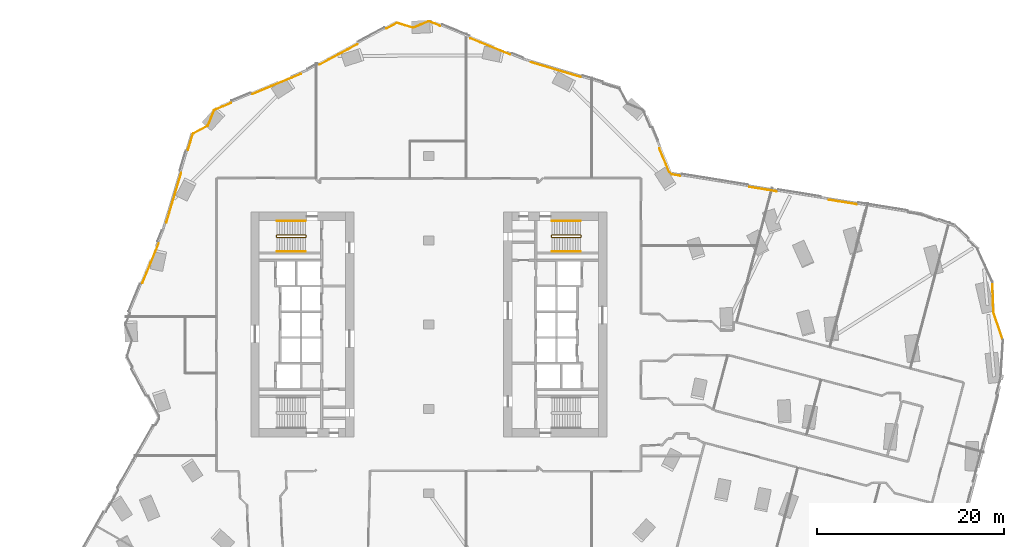
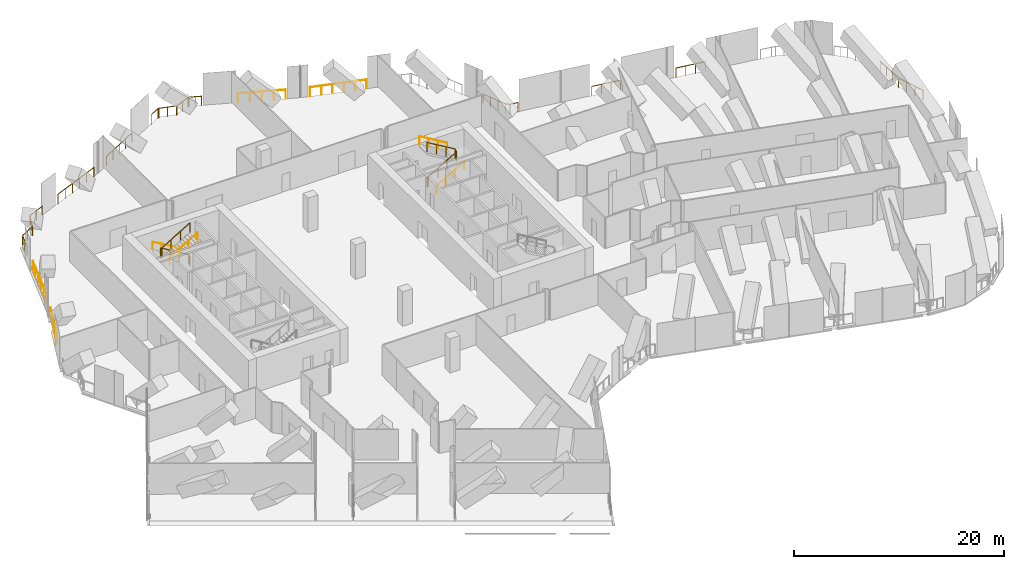
# One storey, part 36 of 37: 18 railings.
"""IFC4 building model written with IfcOpenShell, lengths in metres."""

from ifc_helpers import new_model, si_unit, direction, frame, origin, origin_2d, place, context, subcontext, project, spatial, circle, extrude, material, type_object, element, save


model = new_model("IFC4")

# Units and contexts
model_context = context("Model", 3, precision=1e-05, world=origin(), true_north=direction((0.0, 1.0)))
body_context = subcontext(model_context, "Body", "Model", "MODEL_VIEW")
ifc_project = project(units=[si_unit("LENGTHUNIT", "METRE"), si_unit("AREAUNIT", "SQUARE_METRE"), si_unit("VOLUMEUNIT", "CUBIC_METRE"), si_unit("PLANEANGLEUNIT", "RADIAN"), si_unit("MASSUNIT", "GRAM", prefix="KILO")], contexts=[model_context])

# Site, building, storey
site_placement = place(None, origin())
site = spatial("IfcSite", under=ifc_project, at=site_placement, CompositionType="ELEMENT")
building_placement = place(site_placement, origin())
building = spatial("IfcBuilding", under=site, at=building_placement, Name="Orlundy Tower", CompositionType="ELEMENT")
storey_placement = place(building_placement, frame((0.0, 0.0, 119.699951171875)))
storey = spatial("IfcBuildingStorey", under=building, at=storey_placement, Name="L30", CompositionType="ELEMENT", Elevation=119.699951171875)

# Railings
ifc_material_1 = material(Name="Steel balustrade", Category="steel")
railing_type_1 = type_object("IfcRailingType", Name="Stair Guard 1100", PredefinedType="GUARDRAIL", material=ifc_material_1)
railing_1_placement = place(storey_placement, frame((-13.090087890625, 9.5, 0.0)))
element("IfcRailing", 1, at=railing_1_placement, inside=storey, type_object=railing_type_1, Name="L30 ST-W1 stair guard 1", PredefinedType="GUARDRAIL", context=body_context, shape_type="SweptSolid", body=[
    extrude(circle(Radius=0.02392578125, at=origin_2d()), frame((0.0, 0.0, 1.076171875), z_axis=(0.0, -1.0, 0.0), x_axis=(1.0, 0.0, 0.0)), (0.0, 0.0, 1.0), 0.14990234375),
    extrude(circle(Radius=0.02392578125, at=origin_2d()), frame((0.0, -0.14990234375, 1.076171875), z_axis=(-0.1878875253, 0.754313153044, 0.629054802844), x_axis=(-0.970351222016, -0.241699205484, 0.0)), (0.0, 0.0, 1.0), 0.26513671875),
    extrude(circle(Radius=0.02392578125, at=origin_2d()), frame((-0.0498046875, 0.050048828125, 1.24267578125), z_axis=(-0.859308565015, 0.0, 0.511457515432), x_axis=(0.0, -1.0, 0.0)), (0.0, 0.0, 1.0), 3.58447265625),
    extrude(circle(Radius=0.02392578125, at=origin_2d()), frame((-3.1298828125, 0.050048828125, 3.076171875), z_axis=(-0.707106781187, -0.707106781187, 0.0), x_axis=(0.707106781187, -0.707106781187, 0.0)), (0.0, 0.0, 1.0), 0.07080078125),
    extrude(circle(Radius=0.02392578125, at=origin_2d()), frame((-3.179931640625, 0.0, 3.076171875), z_axis=(0.0, -1.0, 0.0), x_axis=(1.0, 0.0, 0.0)), (0.0, 0.0, 1.0), 0.14990234375),
    extrude(circle(Radius=0.02392578125, at=origin_2d()), frame((-3.179931640625, -0.14990234375, 3.076171875), z_axis=(0.27628659633, -0.27628659633, 0.920506074601), x_axis=(0.707106781187, 0.707106781187, 0.0)), (0.0, 0.0, 1.0), 0.18115234375),
    extrude(circle(Radius=0.02392578125, at=origin_2d()), frame((-3.1298828125, -0.199951171875, 3.24267578125), z_axis=(0.859308565015, 0.0, 0.511457515432), x_axis=(0.0, 1.0, 0.0)), (0.0, 0.0, 1.0), 3.58447265625),
    extrude(circle(Radius=0.02099609375, at=origin_2d()), origin(), (0.0, 0.0, 1.0), 1.052001953125),
    extrude(circle(Radius=0.02099609375, at=origin_2d()), frame((0.0, -0.14990234375, 0.0)), (0.0, 0.0, 1.0), 1.052001953125),
    extrude(circle(Radius=0.02099609375, at=origin_2d()), frame((-0.0498046875, 0.050048828125, 0.166748046875)), (0.0, 0.0, 1.0), 1.052001953125),
    extrude(circle(Radius=0.02099609375, at=origin_2d()), frame((-1.076416015625, 0.050048828125, 0.77783203125)), (0.0, 0.0, 1.0), 1.052001953125),
    extrude(circle(Radius=0.02099609375, at=origin_2d()), frame((-2.103271484375, 0.050048828125, 1.388916015625)), (0.0, 0.0, 1.0), 1.052001953125),
    extrude(circle(Radius=0.02099609375, at=origin_2d()), frame((-3.1298828125, 0.050048828125, 2.0)), (0.0, 0.0, 1.0), 1.052001953125),
    extrude(circle(Radius=0.02099609375, at=origin_2d()), frame((-3.179931640625, 0.0, 2.0)), (0.0, 0.0, 1.0), 1.052001953125),
    extrude(circle(Radius=0.02099609375, at=origin_2d()), frame((-3.179931640625, -0.14990234375, 2.0)), (0.0, 0.0, 1.0), 1.052001953125),
    extrude(circle(Radius=0.02099609375, at=origin_2d()), frame((-3.1298828125, -0.199951171875, 2.166748046875)), (0.0, 0.0, 1.0), 1.052001953125),
    extrude(circle(Radius=0.02099609375, at=origin_2d()), frame((-2.103271484375, -0.199951171875, 2.77783203125)), (0.0, 0.0, 1.0), 1.052001953125),
    extrude(circle(Radius=0.02099609375, at=origin_2d()), frame((-1.076416015625, -0.199951171875, 3.388916015625)), (0.0, 0.0, 1.0), 1.052001953125),
    extrude(circle(Radius=0.02099609375, at=origin_2d()), frame((-0.0498046875, -0.199951171875, 4.0)), (0.0, 0.0, 1.0), 1.052001953125),
])
railing_2_placement = place(storey_placement, frame((13.090087890625, 9.35009765625, 0.0)))
element("IfcRailing", 2, at=railing_2_placement, inside=storey, type_object=railing_type_1, Name="L30 ST-E2 stair guard 1", PredefinedType="GUARDRAIL", context=body_context, shape_type="SweptSolid", body=[
    extrude(circle(Radius=0.02392578125, at=origin_2d()), frame((0.0, 0.0, 1.076171875), z_axis=(0.0, 1.0, 0.0), x_axis=(-1.0, 0.0, 0.0)), (0.0, 0.0, 1.0), 0.14990234375),
    extrude(circle(Radius=0.02392578125, at=origin_2d()), frame((0.0, 0.14990234375, 1.076171875), z_axis=(0.1878875253, -0.754313153044, 0.629054802844), x_axis=(0.970351222016, 0.241699205484, 0.0)), (0.0, 0.0, 1.0), 0.26513671875),
    extrude(circle(Radius=0.02392578125, at=origin_2d()), frame((0.0498046875, -0.050048828125, 1.24267578125), z_axis=(0.859308565015, 0.0, 0.511457515432), x_axis=(0.0, 1.0, 0.0)), (0.0, 0.0, 1.0), 3.58447265625),
    extrude(circle(Radius=0.02392578125, at=origin_2d()), frame((3.1298828125, -0.050048828125, 3.076171875), z_axis=(0.707106781187, 0.707106781187, 0.0), x_axis=(-0.707106781187, 0.707106781187, 0.0)), (0.0, 0.0, 1.0), 0.07080078125),
    extrude(circle(Radius=0.02392578125, at=origin_2d()), frame((3.179931640625, 0.0, 3.076171875), z_axis=(0.0, 1.0, 0.0), x_axis=(-1.0, 0.0, 0.0)), (0.0, 0.0, 1.0), 0.14990234375),
    extrude(circle(Radius=0.02392578125, at=origin_2d()), frame((3.179931640625, 0.14990234375, 3.076171875), z_axis=(-0.27628659633, 0.27628659633, 0.920506074601), x_axis=(-0.707106781187, -0.707106781187, 0.0)), (0.0, 0.0, 1.0), 0.18115234375),
    extrude(circle(Radius=0.02392578125, at=origin_2d()), frame((3.1298828125, 0.199951171875, 3.24267578125), z_axis=(-0.859308565015, 0.0, 0.511457515432), x_axis=(0.0, -1.0, 0.0)), (0.0, 0.0, 1.0), 3.58447265625),
    extrude(circle(Radius=0.02099609375, at=origin_2d()), origin(), (0.0, 0.0, 1.0), 1.052001953125),
    extrude(circle(Radius=0.02099609375, at=origin_2d()), frame((0.0, 0.14990234375, 0.0)), (0.0, 0.0, 1.0), 1.052001953125),
    extrude(circle(Radius=0.02099609375, at=origin_2d()), frame((0.0498046875, -0.050048828125, 0.166748046875)), (0.0, 0.0, 1.0), 1.052001953125),
    extrude(circle(Radius=0.02099609375, at=origin_2d()), frame((1.076416015625, -0.050048828125, 0.77783203125)), (0.0, 0.0, 1.0), 1.052001953125),
    extrude(circle(Radius=0.02099609375, at=origin_2d()), frame((2.103271484375, -0.050048828125, 1.388916015625)), (0.0, 0.0, 1.0), 1.052001953125),
    extrude(circle(Radius=0.02099609375, at=origin_2d()), frame((3.1298828125, -0.050048828125, 2.0)), (0.0, 0.0, 1.0), 1.052001953125),
    extrude(circle(Radius=0.02099609375, at=origin_2d()), frame((3.179931640625, 0.0, 2.0)), (0.0, 0.0, 1.0), 1.052001953125),
    extrude(circle(Radius=0.02099609375, at=origin_2d()), frame((3.179931640625, 0.14990234375, 2.0)), (0.0, 0.0, 1.0), 1.052001953125),
    extrude(circle(Radius=0.02099609375, at=origin_2d()), frame((3.1298828125, 0.199951171875, 2.166748046875)), (0.0, 0.0, 1.0), 1.052001953125),
    extrude(circle(Radius=0.02099609375, at=origin_2d()), frame((2.103271484375, 0.199951171875, 2.77783203125)), (0.0, 0.0, 1.0), 1.052001953125),
    extrude(circle(Radius=0.02099609375, at=origin_2d()), frame((1.076416015625, 0.199951171875, 3.388916015625)), (0.0, 0.0, 1.0), 1.052001953125),
    extrude(circle(Radius=0.02099609375, at=origin_2d()), frame((0.0498046875, 0.199951171875, 4.0)), (0.0, 0.0, 1.0), 1.052001953125),
])
ifc_material_2 = material(Name="Steel handrail", Category="steel")
railing_type_2 = type_object("IfcRailingType", Name="Stair Handrail 900", PredefinedType="HANDRAIL", material=ifc_material_2)
railing_3_placement = place(storey_placement, frame((-13.139892578125, 11.050048828125, 0.166748046875)))
element("IfcRailing", 3, at=railing_3_placement, inside=storey, type_object=railing_type_2, Name="L30 ST-W1 stair handrail 1", PredefinedType="HANDRAIL", context=body_context, shape_type="SweptSolid", body=[
    extrude(circle(Radius=0.02392578125, at=origin_2d()), frame((0.0, 0.0, 0.8759765625), z_axis=(-0.859308565015, 0.0, 0.511457515432), x_axis=(0.0, -1.0, 0.0)), (0.0, 0.0, 1.0), 3.58447265625),
    extrude(circle(Radius=0.02099609375, at=origin_2d()), origin(), (0.0, 0.0, 1.0), 0.851806640625),
    extrude(circle(Radius=0.02099609375, at=origin_2d()), frame((-1.026611328125, 0.0, 0.611083984375)), (0.0, 0.0, 1.0), 0.851806640625),
    extrude(circle(Radius=0.02099609375, at=origin_2d()), frame((-2.053466796875, 0.0, 1.22216796875)), (0.0, 0.0, 1.0), 0.851806640625),
    extrude(circle(Radius=0.02099609375, at=origin_2d()), frame((-3.080078125, 0.0, 1.833251953125)), (0.0, 0.0, 1.0), 0.851806640625),
])
for number, where, name in (
    (4, (-16.219970703125, 7.800048828125, 2.166748046875), "L30 ST-W1 stair handrail 2"),
    (5, (13.139892578125, 7.800048828125, 0.166748046875), "L30 ST-E2 stair handrail 1"),
):
    element("IfcRailing", number, at=place(storey_placement, frame(where)), inside=storey, type_object=railing_type_2, Name=name, PredefinedType="HANDRAIL", context=body_context, shape_type="SweptSolid", body=[
        extrude(circle(Radius=0.02392578125, at=origin_2d()), frame((0.0, 0.0, 0.8759765625), z_axis=(0.859308565015, 0.0, 0.511457515432), x_axis=(0.0, 1.0, 0.0)), (0.0, 0.0, 1.0), 3.58447265625),
        extrude(circle(Radius=0.02099609375, at=origin_2d()), origin(), (0.0, 0.0, 1.0), 0.851806640625),
        extrude(circle(Radius=0.02099609375, at=origin_2d()), frame((1.026611328125, 0.0, 0.611083984375)), (0.0, 0.0, 1.0), 0.851806640625),
        extrude(circle(Radius=0.02099609375, at=origin_2d()), frame((2.053466796875, 0.0, 1.22216796875)), (0.0, 0.0, 1.0), 0.851806640625),
        extrude(circle(Radius=0.02099609375, at=origin_2d()), frame((3.080078125, 0.0, 1.833251953125)), (0.0, 0.0, 1.0), 0.851806640625),
    ])
railing_4_placement = place(storey_placement, frame((16.219970703125, 11.050048828125, 2.166748046875)))
element("IfcRailing", 6, at=railing_4_placement, inside=storey, type_object=railing_type_2, Name="L30 ST-E2 stair handrail 2", PredefinedType="HANDRAIL", context=body_context, shape_type="SweptSolid", body=[
    extrude(circle(Radius=0.02392578125, at=origin_2d()), frame((0.0, 0.0, 0.8759765625), z_axis=(-0.859308565015, 0.0, 0.511457515432), x_axis=(0.0, -1.0, 0.0)), (0.0, 0.0, 1.0), 3.58447265625),
    extrude(circle(Radius=0.02099609375, at=origin_2d()), origin(), (0.0, 0.0, 1.0), 0.851806640625),
    extrude(circle(Radius=0.02099609375, at=origin_2d()), frame((-1.026611328125, 0.0, 0.611083984375)), (0.0, 0.0, 1.0), 0.851806640625),
    extrude(circle(Radius=0.02099609375, at=origin_2d()), frame((-2.053466796875, 0.0, 1.22216796875)), (0.0, 0.0, 1.0), 0.851806640625),
    extrude(circle(Radius=0.02099609375, at=origin_2d()), frame((-3.080078125, 0.0, 1.833251953125)), (0.0, 0.0, 1.0), 0.851806640625),
])
ifc_material_3 = material(Name="Stainless steel bronze finish", Category="steel")
railing_type_3 = type_object("IfcRailingType", Name="TG1 terrace guard", PredefinedType="GUARDRAIL", material=ifc_material_3)
railing_5_placement = place(storey_placement, frame((-25.68701171875, 18.662109375, 0.0)))
element("IfcRailing", 7, at=railing_5_placement, inside=storey, type_object=railing_type_3, Name="Guard TG-L30-E03", PredefinedType="GUARDRAIL", context=body_context, shape_type="SweptSolid", body=[
    extrude(circle(Radius=0.02490234375, at=origin_2d()), frame((0.0, 0.0, 1.09521484375), z_axis=(0.28686459314, 0.957971140068, 0.0), x_axis=(-0.957971140068, 0.28686459314, 0.0)), (0.0, 0.0, 1.0), 1.71484375),
    extrude(circle(Radius=0.02490234375, at=origin_2d()), frame((0.491943359375, 1.642822265625, 1.09521484375), z_axis=(0.615988801134, 0.787754909142, 0.0), x_axis=(-0.787754909142, 0.615988801134, 0.0)), (0.0, 0.0, 1.0), 0.123779296875),
    extrude(circle(Radius=0.02490234375, at=origin_2d()), frame((0.568115234375, 1.740234375, 1.09521484375), z_axis=(0.880130489006, 0.47473184254, 0.0), x_axis=(-0.47473184254, 0.880130489006, 0.0)), (0.0, 0.0, 1.0), 1.704345703125),
    extrude(circle(Radius=0.02490234375, at=origin_2d()), frame((2.068115234375, 2.54931640625, 1.09521484375), z_axis=(0.668296181772, 0.743895297357, 0.0), x_axis=(-0.743895297357, 0.668296181772, 0.0)), (0.0, 0.0, 1.0), 0.080810546875),
    extrude(circle(Radius=0.02490234375, at=origin_2d()), frame((2.1220703125, 2.609375, 1.09521484375), z_axis=(0.380065453377, 0.924959594333, 0.0), x_axis=(-0.924959594333, 0.380065453377, 0.0)), (0.0, 0.0, 1.0), 1.704833984375),
    extrude(circle(Radius=0.02490234375, at=origin_2d()), frame((2.77001953125, 4.186279296875, 1.09521484375), z_axis=(0.720795116451, 0.693148180478, 0.0), x_axis=(-0.693148180478, 0.720795116451, 0.0)), (0.0, 0.0, 1.0), 0.12353515625),
    extrude(circle(Radius=0.02490234375, at=origin_2d()), frame((2.859130859375, 4.27197265625, 1.09521484375), z_axis=(0.922748040322, 0.38540375463, 0.0), x_axis=(-0.38540375463, 0.922748040322, 0.0)), (0.0, 0.0, 1.0), 1.86865234375),
    extrude(circle(Radius=0.02001953125, at=origin_2d()), origin(), (0.0, 0.0, 1.0), 1.070068359375),
    extrude(circle(Radius=0.02001953125, at=origin_2d()), frame((0.24609375, 0.8212890625, 0.0)), (0.0, 0.0, 1.0), 1.070068359375),
    extrude(circle(Radius=0.02001953125, at=origin_2d()), frame((0.491943359375, 1.642822265625, 0.0)), (0.0, 0.0, 1.0), 1.070068359375),
    extrude(circle(Radius=0.02001953125, at=origin_2d()), frame((0.568115234375, 1.740234375, 0.0)), (0.0, 0.0, 1.0), 1.070068359375),
    extrude(circle(Radius=0.02001953125, at=origin_2d()), frame((1.318115234375, 2.144775390625, 0.0)), (0.0, 0.0, 1.0), 1.070068359375),
    extrude(circle(Radius=0.02001953125, at=origin_2d()), frame((2.068115234375, 2.54931640625, 0.0)), (0.0, 0.0, 1.0), 1.070068359375),
    extrude(circle(Radius=0.02001953125, at=origin_2d()), frame((2.1220703125, 2.609375, 0.0)), (0.0, 0.0, 1.0), 1.070068359375),
    extrude(circle(Radius=0.02001953125, at=origin_2d()), frame((2.446044921875, 3.39794921875, 0.0)), (0.0, 0.0, 1.0), 1.070068359375),
    extrude(circle(Radius=0.02001953125, at=origin_2d()), frame((2.77001953125, 4.186279296875, 0.0)), (0.0, 0.0, 1.0), 1.070068359375),
    extrude(circle(Radius=0.02001953125, at=origin_2d()), frame((2.859130859375, 4.27197265625, 0.0)), (0.0, 0.0, 1.0), 1.070068359375),
    extrude(circle(Radius=0.02001953125, at=origin_2d()), frame((3.72119140625, 4.632080078125, 0.0)), (0.0, 0.0, 1.0), 1.070068359375),
    extrude(circle(Radius=0.02001953125, at=origin_2d()), frame((4.58349609375, 4.9921875, 0.0)), (0.0, 0.0, 1.0), 1.070068359375),
])
railing_6_placement = place(storey_placement, frame((60.158935546875, 4.562744140625, 0.0)))
element("IfcRailing", 8, at=railing_6_placement, inside=storey, type_object=railing_type_3, Name="Guard TG-L30-E07", PredefinedType="GUARDRAIL", context=body_context, shape_type="SweptSolid", body=[
    extrude(circle(Radius=0.02490234375, at=origin_2d()), frame((0.0, 0.0, 1.09521484375), z_axis=(0.036396497116, -0.999337427998, 0.0), x_axis=(0.999337427998, 0.036396497116, 0.0)), (0.0, 0.0, 1.0), 3.2734375),
    extrude(circle(Radius=0.02490234375, at=origin_2d()), frame((0.119140625, -3.271240234375, 1.09521484375), z_axis=(0.322689894379, -0.946504744872, 0.0), x_axis=(0.946504744872, 0.322689894379, 0.0)), (0.0, 0.0, 1.0), 3.11328125),
    extrude(circle(Radius=0.02001953125, at=origin_2d()), origin(), (0.0, 0.0, 1.0), 1.070068359375),
    extrude(circle(Radius=0.02001953125, at=origin_2d()), frame((0.039794921875, -1.09033203125, 0.0)), (0.0, 0.0, 1.0), 1.070068359375),
    extrude(circle(Radius=0.02001953125, at=origin_2d()), frame((0.079345703125, -2.180908203125, 0.0)), (0.0, 0.0, 1.0), 1.070068359375),
    extrude(circle(Radius=0.02001953125, at=origin_2d()), frame((0.119140625, -3.271240234375, 0.0)), (0.0, 0.0, 1.0), 1.070068359375),
    extrude(circle(Radius=0.02001953125, at=origin_2d()), frame((0.4541015625, -4.25341796875, 0.0)), (0.0, 0.0, 1.0), 1.070068359375),
    extrude(circle(Radius=0.02001953125, at=origin_2d()), frame((0.788818359375, -5.23583984375, 0.0)), (0.0, 0.0, 1.0), 1.070068359375),
    extrude(circle(Radius=0.02001953125, at=origin_2d()), frame((1.123779296875, -6.218017578125, 0.0)), (0.0, 0.0, 1.0), 1.070068359375),
])
railing_7_placement = place(storey_placement, frame((-4.510986328125, 31.60546875, 0.0)))
element("IfcRailing", 9, at=railing_7_placement, inside=storey, type_object=railing_type_3, Name="Guard TG-L30-E09", PredefinedType="GUARDRAIL", context=body_context, shape_type="SweptSolid", body=[
    extrude(circle(Radius=0.02490234375, at=origin_2d()), frame((0.0, 0.0, 1.09521484375), z_axis=(0.880176323858, 0.474646857063, 0.0), x_axis=(-0.474646857063, 0.880176323858, 0.0)), (0.0, 0.0, 1.0), 1.197509765625),
    extrude(circle(Radius=0.02490234375, at=origin_2d()), frame((1.053955078125, 0.568359375, 1.09521484375), z_axis=(0.992459295979, 0.122574654085, 0.0), x_axis=(-0.122574654085, 0.992459295979, 0.0)), (0.0, 0.0, 1.0), 0.12353515625),
    extrude(circle(Radius=0.02490234375, at=origin_2d()), frame((1.176513671875, 0.58349609375, 1.09521484375), z_axis=(0.957972005693, -0.286861702407, 0.0), x_axis=(0.286861702407, 0.957972005693, 0.0)), (0.0, 0.0, 1.0), 1.70458984375),
    extrude(circle(Radius=0.02490234375, at=origin_2d()), frame((2.8095703125, 0.094482421875, 1.09521484375), z_axis=(0.998515707931, 0.05446449316, 0.0), x_axis=(-0.05446449316, 0.998515707931, 0.0)), (0.0, 0.0, 1.0), 0.08056640625),
    extrude(circle(Radius=0.02490234375, at=origin_2d()), frame((2.89013671875, 0.098876953125, 1.09521484375), z_axis=(0.922750326247, 0.385398281535, 0.0), x_axis=(-0.385398281535, 0.922750326247, 0.0)), (0.0, 0.0, 1.0), 1.70458984375),
    extrude(circle(Radius=0.02490234375, at=origin_2d()), frame((4.463134765625, 0.755859375, 1.09521484375), z_axis=(0.999804772148, -0.019758987592, 0.0), x_axis=(0.019758987592, 0.999804772148, 0.0)), (0.0, 0.0, 1.0), 0.12353515625),
    extrude(circle(Radius=0.02490234375, at=origin_2d()), frame((4.586669921875, 0.75341796875, 1.09521484375), z_axis=(0.925010982542, -0.379940366606, 0.0), x_axis=(0.379940366606, 0.925010982542, 0.0)), (0.0, 0.0, 1.0), 1.2138671875),
    extrude(circle(Radius=0.02001953125, at=origin_2d()), origin(), (0.0, 0.0, 1.0), 1.070068359375),
    extrude(circle(Radius=0.02001953125, at=origin_2d()), frame((1.053955078125, 0.568359375, 0.0)), (0.0, 0.0, 1.0), 1.070068359375),
    extrude(circle(Radius=0.02001953125, at=origin_2d()), frame((1.176513671875, 0.58349609375, 0.0)), (0.0, 0.0, 1.0), 1.070068359375),
    extrude(circle(Radius=0.02001953125, at=origin_2d()), frame((1.9931640625, 0.3388671875, 0.0)), (0.0, 0.0, 1.0), 1.070068359375),
    extrude(circle(Radius=0.02001953125, at=origin_2d()), frame((2.8095703125, 0.094482421875, 0.0)), (0.0, 0.0, 1.0), 1.070068359375),
    extrude(circle(Radius=0.02001953125, at=origin_2d()), frame((2.89013671875, 0.098876953125, 0.0)), (0.0, 0.0, 1.0), 1.070068359375),
    extrude(circle(Radius=0.02001953125, at=origin_2d()), frame((3.6767578125, 0.42724609375, 0.0)), (0.0, 0.0, 1.0), 1.070068359375),
    extrude(circle(Radius=0.02001953125, at=origin_2d()), frame((4.463134765625, 0.755859375, 0.0)), (0.0, 0.0, 1.0), 1.070068359375),
    extrude(circle(Radius=0.02001953125, at=origin_2d()), frame((4.586669921875, 0.75341796875, 0.0)), (0.0, 0.0, 1.0), 1.070068359375),
    extrude(circle(Radius=0.02001953125, at=origin_2d()), frame((5.14794921875, 0.52294921875, 0.0)), (0.0, 0.0, 1.0), 1.070068359375),
    extrude(circle(Radius=0.02001953125, at=origin_2d()), frame((5.70947265625, 0.292236328125, 0.0)), (0.0, 0.0, 1.0), 1.070068359375),
])
railing_8_placement = place(storey_placement, frame((-18.802978515625, 24.614990234375, 0.0)))
element("IfcRailing", 10, at=railing_8_placement, inside=storey, type_object=railing_type_3, Name="Guard TG-L30-E011", PredefinedType="GUARDRAIL", context=body_context, shape_type="SweptSolid", body=[
    extrude(circle(Radius=0.02490234375, at=origin_2d()), frame((0.0, 0.0, 1.09521484375), z_axis=(0.922761154718, 0.385372354149, 0.0), x_axis=(-0.385372354149, 0.922761154718, 0.0)), (0.0, 0.0, 1.0), 5.60986328125),
    extrude(circle(Radius=0.02001953125, at=origin_2d()), origin(), (0.0, 0.0, 1.0), 1.070068359375),
    extrude(circle(Radius=0.02001953125, at=origin_2d()), frame((1.035400390625, 0.432373046875, 0.0)), (0.0, 0.0, 1.0), 1.070068359375),
    extrude(circle(Radius=0.02001953125, at=origin_2d()), frame((2.070556640625, 0.86474609375, 0.0)), (0.0, 0.0, 1.0), 1.070068359375),
    extrude(circle(Radius=0.02001953125, at=origin_2d()), frame((3.10595703125, 1.297119140625, 0.0)), (0.0, 0.0, 1.0), 1.070068359375),
    extrude(circle(Radius=0.02001953125, at=origin_2d()), frame((4.14111328125, 1.7294921875, 0.0)), (0.0, 0.0, 1.0), 1.070068359375),
    extrude(circle(Radius=0.02001953125, at=origin_2d()), frame((5.176513671875, 2.161865234375, 0.0)), (0.0, 0.0, 1.0), 1.070068359375),
])
railing_9_placement = place(storey_placement, frame((-28.011474609375, 10.898681640625, 0.0)))
element("IfcRailing", 11, at=railing_9_placement, inside=storey, type_object=railing_type_3, Name="Guard TG-L30-E012", PredefinedType="GUARDRAIL", context=body_context, shape_type="SweptSolid", body=[
    extrude(circle(Radius=0.02490234375, at=origin_2d()), frame((0.0, 0.0, 1.09521484375), z_axis=(0.286835812649, 0.957979757919, 0.0), x_axis=(-0.957979757919, 0.286835812649, 0.0)), (0.0, 0.0, 1.0), 5.555419921875),
    extrude(circle(Radius=0.02001953125, at=origin_2d()), origin(), (0.0, 0.0, 1.0), 1.070068359375),
    extrude(circle(Radius=0.02001953125, at=origin_2d()), frame((0.318603515625, 1.064453125, 0.0)), (0.0, 0.0, 1.0), 1.070068359375),
    extrude(circle(Radius=0.02001953125, at=origin_2d()), frame((0.637451171875, 2.12890625, 0.0)), (0.0, 0.0, 1.0), 1.070068359375),
    extrude(circle(Radius=0.02001953125, at=origin_2d()), frame((0.9560546875, 3.193115234375, 0.0)), (0.0, 0.0, 1.0), 1.070068359375),
    extrude(circle(Radius=0.02001953125, at=origin_2d()), frame((1.27490234375, 4.257568359375, 0.0)), (0.0, 0.0, 1.0), 1.070068359375),
    extrude(circle(Radius=0.02001953125, at=origin_2d()), frame((1.593505859375, 5.322021484375, 0.0)), (0.0, 0.0, 1.0), 1.070068359375),
])
railing_10_placement = place(storey_placement, frame((10.898681640625, 28.011474609375, 0.0)))
element("IfcRailing", 12, at=railing_10_placement, inside=storey, type_object=railing_type_3, Name="Guard TG-L30-E013", PredefinedType="GUARDRAIL", context=body_context, shape_type="SweptSolid", body=[
    extrude(circle(Radius=0.02490234375, at=origin_2d()), frame((0.0, 0.0, 1.09521484375), z_axis=(0.957979757919, -0.286835812649, 0.0), x_axis=(0.286835812649, 0.957979757919, 0.0)), (0.0, 0.0, 1.0), 5.555419921875),
    extrude(circle(Radius=0.02001953125, at=origin_2d()), origin(), (0.0, 0.0, 1.0), 1.070068359375),
    extrude(circle(Radius=0.02001953125, at=origin_2d()), frame((1.064453125, -0.318603515625, 0.0)), (0.0, 0.0, 1.0), 1.070068359375),
    extrude(circle(Radius=0.02001953125, at=origin_2d()), frame((2.12890625, -0.637451171875, 0.0)), (0.0, 0.0, 1.0), 1.070068359375),
    extrude(circle(Radius=0.02001953125, at=origin_2d()), frame((3.193115234375, -0.9560546875, 0.0)), (0.0, 0.0, 1.0), 1.070068359375),
    extrude(circle(Radius=0.02001953125, at=origin_2d()), frame((4.257568359375, -1.27490234375, 0.0)), (0.0, 0.0, 1.0), 1.070068359375),
    extrude(circle(Radius=0.02001953125, at=origin_2d()), frame((5.322021484375, -1.593505859375, 0.0)), (0.0, 0.0, 1.0), 1.070068359375),
])
railing_11_placement = place(storey_placement, frame((-30.56640625, 4.439453125, 0.0)))
element("IfcRailing", 13, at=railing_11_placement, inside=storey, type_object=railing_type_3, Name="Guard TG-L30-E018", PredefinedType="GUARDRAIL", context=body_context, shape_type="SweptSolid", body=[
    extrude(circle(Radius=0.02490234375, at=origin_2d()), frame((0.0, 0.0, 1.09521484375), z_axis=(0.379975614883, 0.924996503828, 0.0), x_axis=(-0.924996503828, 0.379975614883, 0.0)), (0.0, 0.0, 1.0), 4.600341796875),
    extrude(circle(Radius=0.02001953125, at=origin_2d()), origin(), (0.0, 0.0, 1.0), 1.070068359375),
    extrude(circle(Radius=0.02001953125, at=origin_2d()), frame((0.43701171875, 1.06396484375, 0.0)), (0.0, 0.0, 1.0), 1.070068359375),
    extrude(circle(Radius=0.02001953125, at=origin_2d()), frame((0.8740234375, 2.127685546875, 0.0)), (0.0, 0.0, 1.0), 1.070068359375),
    extrude(circle(Radius=0.02001953125, at=origin_2d()), frame((1.31103515625, 3.19140625, 0.0)), (0.0, 0.0, 1.0), 1.070068359375),
    extrude(circle(Radius=0.02001953125, at=origin_2d()), frame((1.748046875, 4.25537109375, 0.0)), (0.0, 0.0, 1.0), 1.070068359375),
])
railing_12_placement = place(storey_placement, frame((4.439453125, 30.56640625, 0.0)))
element("IfcRailing", 14, at=railing_12_placement, inside=storey, type_object=railing_type_3, Name="Guard TG-L30-E019", PredefinedType="GUARDRAIL", context=body_context, shape_type="SweptSolid", body=[
    extrude(circle(Radius=0.02490234375, at=origin_2d()), frame((0.0, 0.0, 1.09521484375), z_axis=(0.924996503828, -0.379975614883, 0.0), x_axis=(0.379975614883, 0.924996503828, 0.0)), (0.0, 0.0, 1.0), 4.600341796875),
    extrude(circle(Radius=0.02001953125, at=origin_2d()), origin(), (0.0, 0.0, 1.0), 1.070068359375),
    extrude(circle(Radius=0.02001953125, at=origin_2d()), frame((1.06396484375, -0.43701171875, 0.0)), (0.0, 0.0, 1.0), 1.070068359375),
    extrude(circle(Radius=0.02001953125, at=origin_2d()), frame((2.127685546875, -0.8740234375, 0.0)), (0.0, 0.0, 1.0), 1.070068359375),
    extrude(circle(Radius=0.02001953125, at=origin_2d()), frame((3.19140625, -1.31103515625, 0.0)), (0.0, 0.0, 1.0), 1.070068359375),
    extrude(circle(Radius=0.02001953125, at=origin_2d()), frame((4.25537109375, -1.748046875, 0.0)), (0.0, 0.0, 1.0), 1.070068359375),
])
railing_13_placement = place(storey_placement, frame((-11.643310546875, 27.759521484375, 0.0)))
element("IfcRailing", 15, at=railing_13_placement, inside=storey, type_object=railing_type_3, Name="Guard TG-L30-E020", PredefinedType="GUARDRAIL", context=body_context, shape_type="SweptSolid", body=[
    extrude(circle(Radius=0.02490234375, at=origin_2d()), frame((0.0, 0.0, 1.09521484375), z_axis=(0.88019977105, 0.474603374455, 0.0), x_axis=(-0.474603374455, 0.88019977105, 0.0)), (0.0, 0.0, 1.0), 4.5673828125),
    extrude(circle(Radius=0.02001953125, at=origin_2d()), origin(), (0.0, 0.0, 1.0), 1.070068359375),
    extrude(circle(Radius=0.02001953125, at=origin_2d()), frame((1.005126953125, 0.5419921875, 0.0)), (0.0, 0.0, 1.0), 1.070068359375),
    extrude(circle(Radius=0.02001953125, at=origin_2d()), frame((2.01025390625, 1.083984375, 0.0)), (0.0, 0.0, 1.0), 1.070068359375),
    extrude(circle(Radius=0.02001953125, at=origin_2d()), frame((3.01513671875, 1.625732421875, 0.0)), (0.0, 0.0, 1.0), 1.070068359375),
    extrude(circle(Radius=0.02001953125, at=origin_2d()), frame((4.020263671875, 2.167724609375, 0.0)), (0.0, 0.0, 1.0), 1.070068359375),
])
railing_14_placement = place(storey_placement, frame((24.615478515625, 18.802978515625, 0.0)))
element("IfcRailing", 16, at=railing_14_placement, inside=storey, type_object=railing_type_3, Name="Guard TG-L30-E022", PredefinedType="GUARDRAIL", context=body_context, shape_type="SweptSolid", body=[
    extrude(circle(Radius=0.02490234375, at=origin_2d()), frame((0.0, 0.0, 1.09521484375), z_axis=(0.385403433468, -0.922748174461, 0.0), x_axis=(0.922748174461, 0.385403433468, 0.0)), (0.0, 0.0, 1.0), 2.749267578125),
    extrude(circle(Radius=0.02490234375, at=origin_2d()), frame((1.0595703125, -2.536865234375, 1.09521484375), z_axis=(0.785204502598, -0.619236537277, 0.0), x_axis=(0.619236537277, 0.785204502598, 0.0)), (0.0, 0.0, 1.0), 0.388427734375),
    extrude(circle(Radius=0.02490234375, at=origin_2d()), frame((1.364501953125, -2.77734375, 1.09521484375), z_axis=(0.987258467993, -0.159124848394, 0.0), x_axis=(0.159124848394, 0.987258467993, 0.0)), (0.0, 0.0, 1.0), 0.856201171875),
    extrude(circle(Radius=0.02001953125, at=origin_2d()), origin(), (0.0, 0.0, 1.0), 1.070068359375),
    extrude(circle(Radius=0.02001953125, at=origin_2d()), frame((0.353271484375, -0.845703125, 0.0)), (0.0, 0.0, 1.0), 1.070068359375),
    extrude(circle(Radius=0.02001953125, at=origin_2d()), frame((0.706298828125, -1.691162109375, 0.0)), (0.0, 0.0, 1.0), 1.070068359375),
    extrude(circle(Radius=0.02001953125, at=origin_2d()), frame((1.0595703125, -2.536865234375, 0.0)), (0.0, 0.0, 1.0), 1.070068359375),
    extrude(circle(Radius=0.02001953125, at=origin_2d()), frame((1.364501953125, -2.77734375, 0.0)), (0.0, 0.0, 1.0), 1.070068359375),
    extrude(circle(Radius=0.02001953125, at=origin_2d()), frame((2.209716796875, -2.91357421875, 0.0)), (0.0, 0.0, 1.0), 1.070068359375),
])
railing_15_placement = place(storey_placement, frame((42.72509765625, 13.323486328125, 0.0)))
element("IfcRailing", 17, at=railing_15_placement, inside=storey, type_object=railing_type_3, Name="Guard TG-L30-E029", PredefinedType="GUARDRAIL", context=body_context, shape_type="SweptSolid", body=[
    extrude(circle(Radius=0.02490234375, at=origin_2d()), frame((0.0, 0.0, 1.09521484375), z_axis=(0.987234067508, -0.159276162532, 0.0), x_axis=(0.159276162532, 0.987234067508, 0.0)), (0.0, 0.0, 1.0), 2.984375),
    extrude(circle(Radius=0.02001953125, at=origin_2d()), origin(), (0.0, 0.0, 1.0), 1.070068359375),
    extrude(circle(Radius=0.02001953125, at=origin_2d()), frame((0.982177734375, -0.158447265625, 0.0)), (0.0, 0.0, 1.0), 1.070068359375),
    extrude(circle(Radius=0.02001953125, at=origin_2d()), frame((1.964111328125, -0.31689453125, 0.0)), (0.0, 0.0, 1.0), 1.070068359375),
    extrude(circle(Radius=0.02001953125, at=origin_2d()), frame((2.9462890625, -0.475341796875, 0.0)), (0.0, 0.0, 1.0), 1.070068359375),
])
railing_16_placement = place(storey_placement, frame((34.23291015625, 14.69384765625, 0.0)))
element("IfcRailing", 18, at=railing_16_placement, inside=storey, type_object=railing_type_3, Name="Guard TG-L30-E031", PredefinedType="GUARDRAIL", context=body_context, shape_type="SweptSolid", body=[
    extrude(circle(Radius=0.02490234375, at=origin_2d()), frame((0.0, 0.0, 1.09521484375), z_axis=(0.987226350105, -0.159323989588, 0.0), x_axis=(0.159323989588, 0.987226350105, 0.0)), (0.0, 0.0, 1.0), 2.9345703125),
    extrude(circle(Radius=0.02001953125, at=origin_2d()), origin(), (0.0, 0.0, 1.0), 1.070068359375),
    extrude(circle(Radius=0.02001953125, at=origin_2d()), frame((0.965576171875, -0.15576171875, 0.0)), (0.0, 0.0, 1.0), 1.070068359375),
    extrude(circle(Radius=0.02001953125, at=origin_2d()), frame((1.931396484375, -0.311767578125, 0.0)), (0.0, 0.0, 1.0), 1.070068359375),
    extrude(circle(Radius=0.02001953125, at=origin_2d()), frame((2.89697265625, -0.467529296875, 0.0)), (0.0, 0.0, 1.0), 1.070068359375),
])

save(model, "model.ifc")
